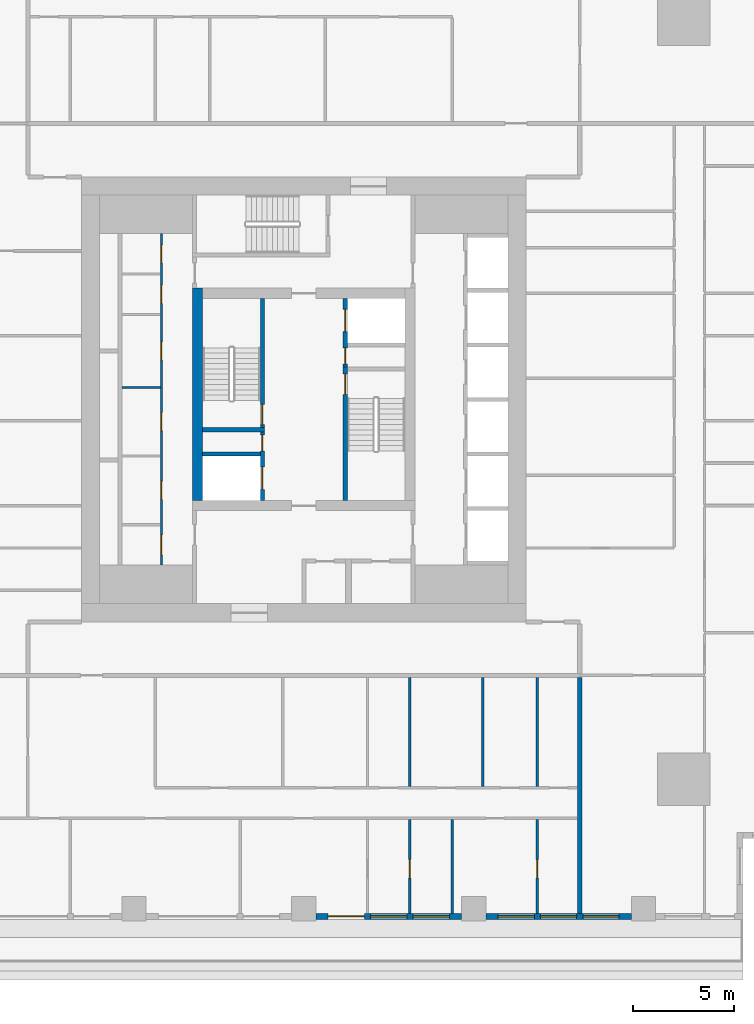
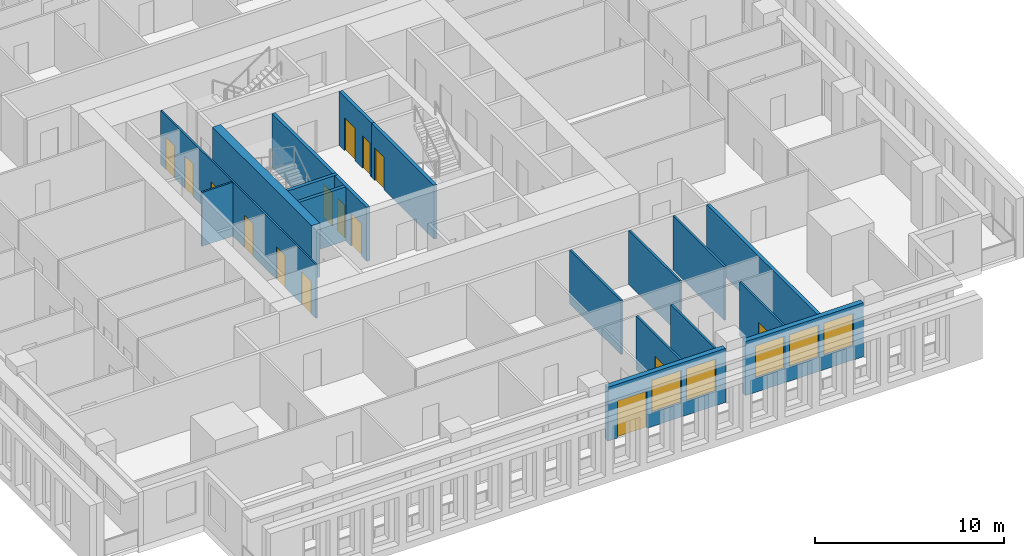
# One storey, part 4 of 16: 18 walls, 15 doors, 5 windows, 20 openings.
"""IFC4 building model written with IfcOpenShell, lengths in metres."""

from ifc_helpers import new_model, si_unit, direction, frame, frame_2d, origin, place, context, subcontext, project, spatial, rectangle, extrude, material, layer, layer_set, type_object, element, fill, save


model = new_model("IFC4")

# Units and contexts
model_context = context("Model", 3, precision=1e-05, world=origin(), true_north=direction((0.0, 1.0)))
body_context = subcontext(model_context, "Body", "Model", "MODEL_VIEW")
ifc_project = project(units=[si_unit("LENGTHUNIT", "METRE"), si_unit("AREAUNIT", "SQUARE_METRE"), si_unit("VOLUMEUNIT", "CUBIC_METRE"), si_unit("PLANEANGLEUNIT", "RADIAN"), si_unit("MASSUNIT", "GRAM", prefix="KILO")], contexts=[model_context])

# Site, building, storey
site_placement = place(None, origin())
site = spatial("IfcSite", under=ifc_project, at=site_placement, CompositionType="ELEMENT")
building_placement = place(site_placement, origin())
building = spatial("IfcBuilding", under=site, at=building_placement, Name="Khepri Terraces", CompositionType="ELEMENT")
storey_placement = place(building_placement, frame((0.0, 0.0, 153.300048828125)))
storey = spatial("IfcBuildingStorey", under=building, at=storey_placement, Name="L36", CompositionType="ELEMENT", Elevation=153.300048828125)

# Wall, opening, door
ifc_material_1 = material(Name="Concrete C60/75", Category="concrete")
ifc_layer_1 = layer(ifc_material_1, 0.199951171875, Name="Concrete C60/75", Category="concrete")
ifc_layer_set_1 = layer_set([ifc_layer_1], Name="Concrete C60/75")
wall_type_1 = type_object("IfcWallType", Name="Core wall 200 C60/75", PredefinedType="SHEAR", material=ifc_layer_set_1)
wall_1_placement = place(storey_placement, frame((2.050048828125, -5.0, 0.0), z_axis=(0.0, 0.0, 1.0), x_axis=(0.0, 1.0, 0.0)))
wall_1 = element("IfcWall", 1, at=wall_1_placement, inside=storey, type_object=wall_type_1, Name="Core wall ST01 L36", PredefinedType="SHEAR", context=body_context, shape_type="SweptSolid", body=[
    extrude(rectangle(XDim=6.60009765625, YDim=0.199951171875, at=frame_2d((3.300048828125, 0.0))), origin(), (0.0, 0.0, 1.0), 3.47998046875),
])
opening_1_placement = place(wall_1_placement, frame((5.25, 0.0, 0.0)))
opening_1 = element("IfcOpeningElement", 2, at=opening_1_placement, cuts=wall_1, Name="Opening L36-C10", PredefinedType="OPENING", context=body_context, shape_type="SweptSolid", body=[
    extrude(rectangle(XDim=1.0, YDim=2.10009765625, at=frame_2d((0.5, 1.050048828125))), frame((0.0, 0.10986328125, 0.0), z_axis=(0.0, -1.0, 0.0), x_axis=(1.0, 0.0, 0.0)), (0.0, 0.0, 1.0), 0.219970703125),
])
ifc_material_2 = material(Name="Painted steel", Category="steel")
door_type_1 = type_object("IfcDoorType", Name="DR-CORE-STAIR-1000", OperationType="NOTDEFINED", PredefinedType="DOOR", material=ifc_material_2)
door_1_placement = place(opening_1_placement, frame((1.0, 0.0, 0.0), z_axis=(0.0, 0.0, 1.0), x_axis=(-1.0, 0.0, 0.0)))
door_1 = element("IfcDoor", 3, at=door_1_placement, inside=storey, type_object=door_type_1, Name="Stair door L36-C10", OperationType="SINGLE_SWING_LEFT", OverallHeight=2.10009765625, OverallWidth=1.0, PredefinedType="DOOR", context=body_context, shape_type="SweptSolid", body=[
    extrude(rectangle(XDim=1.0, YDim=2.10009765625, at=frame_2d((0.5, 1.050048828125))), frame((0.0, 0.02490234375, 0.0), z_axis=(0.0, -1.0, 0.0), x_axis=(1.0, 0.0, 0.0)), (0.0, 0.0, 1.0), 0.050048828125),
])
fill(opening_1, door_1)

# Wall
wall_2_placement = place(storey_placement, frame((-5.0, -1.5, 0.0), z_axis=(0.0, 0.0, 1.0), x_axis=(1.0, 0.0, 0.0)))
element("IfcWall", 4, at=wall_2_placement, inside=storey, type_object=wall_type_1, Name="Core wall ST02 L36", PredefinedType="SHEAR", context=body_context, shape_type="SweptSolid", body=[
    extrude(rectangle(XDim=3.050048828125, YDim=0.199951171875, at=frame_2d((1.52490234375, 0.0))), origin(), (0.0, 0.0, 1.0), 3.47998046875),
])

# Wall, opening, door
wall_3_placement = place(storey_placement, frame((-2.050048828125, -1.39990234375, 0.0), z_axis=(0.0, 0.0, 1.0), x_axis=(0.0, 1.0, 0.0)))
wall_3 = element("IfcWall", 5, at=wall_3_placement, inside=storey, type_object=wall_type_1, Name="Core wall ST03 L36", PredefinedType="SHEAR", context=body_context, shape_type="SweptSolid", body=[
    extrude(rectangle(XDim=6.39990234375, YDim=0.199951171875, at=frame_2d((3.199951171875, 0.0))), origin(), (0.0, 0.0, 1.0), 3.47998046875),
])
opening_2_placement = place(wall_3_placement, frame((0.14990234375, 0.0, 0.0)))
opening_2 = element("IfcOpeningElement", 6, at=opening_2_placement, cuts=wall_3, Name="Opening L36-C09", PredefinedType="OPENING", context=body_context, shape_type="SweptSolid", body=[
    extrude(rectangle(XDim=1.0, YDim=2.10009765625, at=frame_2d((0.5, 1.050048828125))), frame((0.0, 0.10986328125, 0.0), z_axis=(0.0, -1.0, 0.0), x_axis=(1.0, 0.0, 0.0)), (0.0, 0.0, 1.0), 0.219970703125),
])
door_2_placement = place(opening_2_placement, origin())
door_2 = element("IfcDoor", 7, at=door_2_placement, inside=storey, type_object=door_type_1, Name="Stair door L36-C09", OperationType="SINGLE_SWING_LEFT", OverallHeight=2.10009765625, OverallWidth=1.0, PredefinedType="DOOR", context=body_context, shape_type="SweptSolid", body=[
    extrude(rectangle(XDim=1.0, YDim=2.10009765625, at=frame_2d((0.5, 1.050048828125))), frame((0.0, 0.02490234375, 0.0), z_axis=(0.0, -1.0, 0.0), x_axis=(1.0, 0.0, 0.0)), (0.0, 0.0, 1.0), 0.050048828125),
])
fill(opening_2, door_2)

# Wall, openings, doors
wall_4_placement = place(storey_placement, frame((-2.050048828125, -5.0, 0.0), z_axis=(0.0, 0.0, 1.0), x_axis=(0.0, 1.0, 0.0)))
wall_4 = element("IfcWall", 8, at=wall_4_placement, inside=storey, type_object=wall_type_1, Name="Core wall SH05 L36", PredefinedType="SHEAR", context=body_context, shape_type="SweptSolid", body=[
    extrude(rectangle(XDim=3.39990234375, YDim=0.199951171875, at=frame_2d((1.699951171875, 0.0))), origin(), (0.0, 0.0, 1.0), 3.47998046875),
])
opening_3_placement = place(wall_4_placement, frame((0.550048828125, 0.0, 0.0)))
opening_3 = element("IfcOpeningElement", 9, at=opening_3_placement, cuts=wall_4, Name="Opening L36-C08", PredefinedType="OPENING", context=body_context, shape_type="SweptSolid", body=[
    extrude(rectangle(XDim=1.10009765625, YDim=2.10009765625, at=frame_2d((0.550048828125, 1.050048828125))), frame((0.0, 0.10986328125, 0.0), z_axis=(0.0, -1.0, 0.0), x_axis=(1.0, 0.0, 0.0)), (0.0, 0.0, 1.0), 0.219970703125),
])
opening_4_placement = place(wall_4_placement, frame((2.449951171875, 0.0, 0.0)))
opening_4 = element("IfcOpeningElement", 10, at=opening_4_placement, cuts=wall_4, Name="Opening L36-C12", PredefinedType="OPENING", context=body_context, shape_type="SweptSolid", body=[
    extrude(rectangle(XDim=0.800048828125, YDim=2.10009765625, at=frame_2d((0.39990234375, 1.050048828125))), frame((0.0, 0.10986328125, 0.0), z_axis=(0.0, -1.0, 0.0), x_axis=(1.0, 0.0, 0.0)), (0.0, 0.0, 1.0), 0.219970703125),
])
ifc_material_3 = material(Name="Stainless steel 304", Category="steel")
door_type_2 = type_object("IfcDoorType", Name="DR-CORE-FF-LANDING-1100", OperationType="NOTDEFINED", PredefinedType="DOOR", material=ifc_material_3)
door_3_placement = place(opening_3_placement, origin())
door_3 = element("IfcDoor", 11, at=door_3_placement, inside=storey, type_object=door_type_2, Name="Firefighting lift landing door L36-C08", OperationType="SLIDING_TO_LEFT", OverallHeight=2.10009765625, OverallWidth=1.10009765625, PredefinedType="DOOR", context=body_context, shape_type="SweptSolid", body=[
    extrude(rectangle(XDim=1.10009765625, YDim=2.10009765625, at=frame_2d((0.550048828125, 1.050048828125))), frame((0.0, 0.02490234375, 0.0), z_axis=(0.0, -1.0, 0.0), x_axis=(1.0, 0.0, 0.0)), (0.0, 0.0, 1.0), 0.050048828125),
])
fill(opening_3, door_3)
door_type_3 = type_object("IfcDoorType", Name="DR-CORE-RISER-800", OperationType="NOTDEFINED", PredefinedType="DOOR", material=ifc_material_2)
door_4_placement = place(opening_4_placement, origin())
door_4 = element("IfcDoor", 12, at=door_4_placement, inside=storey, type_object=door_type_3, Name="Riser door L36-C12", OperationType="SINGLE_SWING_RIGHT", OverallHeight=2.10009765625, OverallWidth=0.800048828125, PredefinedType="DOOR", context=body_context, shape_type="SweptSolid", body=[
    extrude(rectangle(XDim=0.800048828125, YDim=2.10009765625, at=frame_2d((0.39990234375, 1.050048828125))), frame((0.0, 0.02490234375, 0.0), z_axis=(0.0, -1.0, 0.0), x_axis=(1.0, 0.0, 0.0)), (0.0, 0.0, 1.0), 0.050048828125),
])
fill(opening_4, door_4)

# Wall
wall_5_placement = place(storey_placement, frame((-5.0, -2.699951171875, 0.0), z_axis=(0.0, 0.0, 1.0), x_axis=(1.0, 0.0, 0.0)))
element("IfcWall", 13, at=wall_5_placement, inside=storey, type_object=wall_type_1, Name="Core wall SH07 L36", PredefinedType="SHEAR", context=body_context, shape_type="SweptSolid", body=[
    extrude(rectangle(XDim=2.85009765625, YDim=0.199951171875, at=frame_2d((1.425048828125, 0.0))), origin(), (0.0, 0.0, 1.0), 3.47998046875),
])

# Wall, openings, doors
wall_6_placement = place(storey_placement, frame((2.050048828125, 1.60009765625, 0.0), z_axis=(0.0, 0.0, 1.0), x_axis=(0.0, 1.0, 0.0)))
wall_6 = element("IfcWall", 14, at=wall_6_placement, inside=storey, type_object=wall_type_1, Name="Core wall SH10 L36", PredefinedType="SHEAR", context=body_context, shape_type="SweptSolid", body=[
    extrude(rectangle(XDim=3.39990234375, YDim=0.199951171875, at=frame_2d((1.699951171875, 0.0))), origin(), (0.0, 0.0, 1.0), 3.47998046875),
])
opening_5_placement = place(wall_6_placement, frame((1.75, 0.0, 0.0)))
opening_5 = element("IfcOpeningElement", 15, at=opening_5_placement, cuts=wall_6, Name="Opening L36-C07", PredefinedType="OPENING", context=body_context, shape_type="SweptSolid", body=[
    extrude(rectangle(XDim=1.10009765625, YDim=2.10009765625, at=frame_2d((0.550048828125, 1.050048828125))), frame((0.0, 0.10986328125, 0.0), z_axis=(0.0, -1.0, 0.0), x_axis=(1.0, 0.0, 0.0)), (0.0, 0.0, 1.0), 0.219970703125),
])
opening_6_placement = place(wall_6_placement, frame((0.14990234375, 0.0, 0.0)))
opening_6 = element("IfcOpeningElement", 16, at=opening_6_placement, cuts=wall_6, Name="Opening L36-C11", PredefinedType="OPENING", context=body_context, shape_type="SweptSolid", body=[
    extrude(rectangle(XDim=0.800048828125, YDim=2.10009765625, at=frame_2d((0.39990234375, 1.050048828125))), frame((0.0, 0.10986328125, 0.0), z_axis=(0.0, -1.0, 0.0), x_axis=(1.0, 0.0, 0.0)), (0.0, 0.0, 1.0), 0.219970703125),
])
door_5_placement = place(opening_5_placement, origin())
door_5 = element("IfcDoor", 17, at=door_5_placement, inside=storey, type_object=door_type_2, Name="Firefighting lift landing door L36-C07", OperationType="SLIDING_TO_LEFT", OverallHeight=2.10009765625, OverallWidth=1.10009765625, PredefinedType="DOOR", context=body_context, shape_type="SweptSolid", body=[
    extrude(rectangle(XDim=1.10009765625, YDim=2.10009765625, at=frame_2d((0.550048828125, 1.050048828125))), frame((0.0, 0.02490234375, 0.0), z_axis=(0.0, -1.0, 0.0), x_axis=(1.0, 0.0, 0.0)), (0.0, 0.0, 1.0), 0.050048828125),
])
fill(opening_5, door_5)
door_6_placement = place(opening_6_placement, frame((0.800048828125, 0.0, 0.0), z_axis=(0.0, 0.0, 1.0), x_axis=(-1.0, 0.0, 0.0)))
door_6 = element("IfcDoor", 18, at=door_6_placement, inside=storey, type_object=door_type_3, Name="Riser door L36-C11", OperationType="SINGLE_SWING_RIGHT", OverallHeight=2.10009765625, OverallWidth=0.800048828125, PredefinedType="DOOR", context=body_context, shape_type="SweptSolid", body=[
    extrude(rectangle(XDim=0.800048828125, YDim=2.10009765625, at=frame_2d((0.39990234375, 1.050048828125))), frame((0.0, 0.02490234375, 0.0), z_axis=(0.0, -1.0, 0.0), x_axis=(1.0, 0.0, 0.0)), (0.0, 0.0, 1.0), 0.050048828125),
])
fill(opening_6, door_6)

# Wall
ifc_layer_2 = layer(ifc_material_1, 0.5, Name="Concrete C60/75", Category="concrete")
ifc_layer_set_2 = layer_set([ifc_layer_2], Name="Concrete C60/75")
wall_type_2 = type_object("IfcWallType", Name="Core wall 500 C60/75", PredefinedType="SHEAR", material=ifc_layer_set_2)
wall_7_placement = place(storey_placement, frame((-5.25, -5.0, 0.0), z_axis=(0.0, 0.0, 1.0), x_axis=(0.0, 1.0, 0.0)))
element("IfcWall", 19, at=wall_7_placement, inside=storey, type_object=wall_type_2, Name="Core wall BX02 L36", PredefinedType="SHEAR", context=body_context, shape_type="SweptSolid", body=[
    extrude(rectangle(XDim=10.5, YDim=0.5, at=frame_2d((5.25, 0.0))), origin(), (0.0, 0.0, 1.0), 3.47998046875),
])

# Wall, openings, doors
ifc_material_4 = material(Name="Fire-rated gypsum board partition")
ifc_layer_3 = layer(ifc_material_4, 0.10009765625, Name="Fire-rated gypsum board partition")
ifc_layer_set_3 = layer_set([ifc_layer_3], Name="Fire-rated gypsum board partition")
wall_type_3 = type_object("IfcWallType", Name="WL-CORE-PART-100", PredefinedType="PARTITIONING", material=ifc_layer_set_3)
wall_8_placement = place(storey_placement, frame((-7.050048828125, -8.199951171875, 0.0), z_axis=(0.0, 0.0, 1.0), x_axis=(0.0, 1.0, 0.0)))
wall_8 = element("IfcWall", 20, at=wall_8_placement, inside=storey, type_object=wall_type_3, Name="Core partition PT05 L36", PredefinedType="PARTITIONING", context=body_context, shape_type="SweptSolid", body=[
    extrude(rectangle(XDim=16.39990234375, YDim=0.10009765625, at=frame_2d((8.199951171875, 0.0))), origin(), (0.0, 0.0, 1.0), 3.47998046875),
])
opening_7_placement = place(wall_8_placement, frame((0.5, 0.0, 0.0)))
opening_7 = element("IfcOpeningElement", 21, at=opening_7_placement, cuts=wall_8, Name="Opening L36-C24", PredefinedType="OPENING", context=body_context, shape_type="SweptSolid", body=[
    extrude(rectangle(XDim=1.0, YDim=2.10009765625, at=frame_2d((0.5, 1.050048828125))), frame((0.0, 0.06005859375, 0.0), z_axis=(0.0, -1.0, 0.0), x_axis=(1.0, 0.0, 0.0)), (0.0, 0.0, 1.0), 0.1201171875),
])
opening_8_placement = place(wall_8_placement, frame((3.25, 0.0, 0.0)))
opening_8 = element("IfcOpeningElement", 22, at=opening_8_placement, cuts=wall_8, Name="Opening L36-C25", PredefinedType="OPENING", context=body_context, shape_type="SweptSolid", body=[
    extrude(rectangle(XDim=0.89990234375, YDim=2.10009765625, at=frame_2d((0.449951171875, 1.050048828125))), frame((0.0, 0.06005859375, 0.0), z_axis=(0.0, -1.0, 0.0), x_axis=(1.0, 0.0, 0.0)), (0.0, 0.0, 1.0), 0.1201171875),
])
opening_9_placement = place(wall_8_placement, frame((6.64990234375, 0.0, 0.0)))
opening_9 = element("IfcOpeningElement", 23, at=opening_9_placement, cuts=wall_8, Name="Opening L36-C26", PredefinedType="OPENING", context=body_context, shape_type="SweptSolid", body=[
    extrude(rectangle(XDim=0.89990234375, YDim=2.10009765625, at=frame_2d((0.449951171875, 1.050048828125))), frame((0.0, 0.06005859375, 0.0), z_axis=(0.0, -1.0, 0.0), x_axis=(1.0, 0.0, 0.0)), (0.0, 0.0, 1.0), 0.1201171875),
])
opening_10_placement = place(wall_8_placement, frame((10.14990234375, 0.0, 0.0)))
opening_10 = element("IfcOpeningElement", 24, at=opening_10_placement, cuts=wall_8, Name="Opening L36-C27", PredefinedType="OPENING", context=body_context, shape_type="SweptSolid", body=[
    extrude(rectangle(XDim=0.89990234375, YDim=2.10009765625, at=frame_2d((0.449951171875, 1.050048828125))), frame((0.0, 0.06005859375, 0.0), z_axis=(0.0, -1.0, 0.0), x_axis=(1.0, 0.0, 0.0)), (0.0, 0.0, 1.0), 0.1201171875),
])
opening_11_placement = place(wall_8_placement, frame((12.949951171875, 0.0, 0.0)))
opening_11 = element("IfcOpeningElement", 25, at=opening_11_placement, cuts=wall_8, Name="Opening L36-C28", PredefinedType="OPENING", context=body_context, shape_type="SweptSolid", body=[
    extrude(rectangle(XDim=0.89990234375, YDim=2.10009765625, at=frame_2d((0.449951171875, 1.050048828125))), frame((0.0, 0.06005859375, 0.0), z_axis=(0.0, -1.0, 0.0), x_axis=(1.0, 0.0, 0.0)), (0.0, 0.0, 1.0), 0.1201171875),
])
opening_12_placement = place(wall_8_placement, frame((14.949951171875, 0.0, 0.0)))
opening_12 = element("IfcOpeningElement", 26, at=opening_12_placement, cuts=wall_8, Name="Opening L36-C29", PredefinedType="OPENING", context=body_context, shape_type="SweptSolid", body=[
    extrude(rectangle(XDim=0.89990234375, YDim=2.10009765625, at=frame_2d((0.449951171875, 1.050048828125))), frame((0.0, 0.06005859375, 0.0), z_axis=(0.0, -1.0, 0.0), x_axis=(1.0, 0.0, 0.0)), (0.0, 0.0, 1.0), 0.1201171875),
])
door_type_4 = type_object("IfcDoorType", Name="DR-CORE-SERVICE-900", OperationType="NOTDEFINED", PredefinedType="DOOR", material=ifc_material_2)
door_7_placement = place(opening_8_placement, origin())
door_7 = element("IfcDoor", 27, at=door_7_placement, inside=storey, type_object=door_type_4, Name="Service room door L36-C25", OperationType="SINGLE_SWING_LEFT", OverallHeight=2.10009765625, OverallWidth=0.89990234375, PredefinedType="DOOR", context=body_context, shape_type="SweptSolid", body=[
    extrude(rectangle(XDim=0.89990234375, YDim=2.10009765625, at=frame_2d((0.449951171875, 1.050048828125))), frame((0.0, 0.02490234375, 0.0), z_axis=(0.0, -1.0, 0.0), x_axis=(1.0, 0.0, 0.0)), (0.0, 0.0, 1.0), 0.050048828125),
])
fill(opening_8, door_7)
door_8_placement = place(opening_9_placement, origin())
door_8 = element("IfcDoor", 28, at=door_8_placement, inside=storey, type_object=door_type_4, Name="Service room door L36-C26", OperationType="SINGLE_SWING_LEFT", OverallHeight=2.10009765625, OverallWidth=0.89990234375, PredefinedType="DOOR", context=body_context, shape_type="SweptSolid", body=[
    extrude(rectangle(XDim=0.89990234375, YDim=2.10009765625, at=frame_2d((0.449951171875, 1.050048828125))), frame((0.0, 0.02490234375, 0.0), z_axis=(0.0, -1.0, 0.0), x_axis=(1.0, 0.0, 0.0)), (0.0, 0.0, 1.0), 0.050048828125),
])
fill(opening_9, door_8)
door_9_placement = place(opening_10_placement, origin())
door_9 = element("IfcDoor", 29, at=door_9_placement, inside=storey, type_object=door_type_4, Name="Service room door L36-C27", OperationType="SINGLE_SWING_RIGHT", OverallHeight=2.10009765625, OverallWidth=0.89990234375, PredefinedType="DOOR", context=body_context, shape_type="SweptSolid", body=[
    extrude(rectangle(XDim=0.89990234375, YDim=2.10009765625, at=frame_2d((0.449951171875, 1.050048828125))), frame((0.0, 0.02490234375, 0.0), z_axis=(0.0, -1.0, 0.0), x_axis=(1.0, 0.0, 0.0)), (0.0, 0.0, 1.0), 0.050048828125),
])
fill(opening_10, door_9)
door_10_placement = place(opening_11_placement, origin())
door_10 = element("IfcDoor", 30, at=door_10_placement, inside=storey, type_object=door_type_4, Name="Service room door L36-C28", OperationType="SINGLE_SWING_RIGHT", OverallHeight=2.10009765625, OverallWidth=0.89990234375, PredefinedType="DOOR", context=body_context, shape_type="SweptSolid", body=[
    extrude(rectangle(XDim=0.89990234375, YDim=2.10009765625, at=frame_2d((0.449951171875, 1.050048828125))), frame((0.0, 0.02490234375, 0.0), z_axis=(0.0, -1.0, 0.0), x_axis=(1.0, 0.0, 0.0)), (0.0, 0.0, 1.0), 0.050048828125),
])
fill(opening_11, door_10)
door_11_placement = place(opening_12_placement, origin())
door_11 = element("IfcDoor", 31, at=door_11_placement, inside=storey, type_object=door_type_4, Name="Service room door L36-C29", OperationType="SINGLE_SWING_RIGHT", OverallHeight=2.10009765625, OverallWidth=0.89990234375, PredefinedType="DOOR", context=body_context, shape_type="SweptSolid", body=[
    extrude(rectangle(XDim=0.89990234375, YDim=2.10009765625, at=frame_2d((0.449951171875, 1.050048828125))), frame((0.0, 0.02490234375, 0.0), z_axis=(0.0, -1.0, 0.0), x_axis=(1.0, 0.0, 0.0)), (0.0, 0.0, 1.0), 0.050048828125),
])
fill(opening_12, door_11)
ifc_material_5 = material(Name="Timber veneer", Category="wood")
door_type_5 = type_object("IfcDoorType", Name="DR-CORE-WC-1000", OperationType="NOTDEFINED", PredefinedType="DOOR", material=ifc_material_5)
door_12_placement = place(opening_7_placement, origin())
door_12 = element("IfcDoor", 32, at=door_12_placement, inside=storey, type_object=door_type_5, Name="WC door L36-C24", OperationType="SINGLE_SWING_LEFT", OverallHeight=2.10009765625, OverallWidth=1.0, PredefinedType="DOOR", context=body_context, shape_type="SweptSolid", body=[
    extrude(rectangle(XDim=1.0, YDim=2.10009765625, at=frame_2d((0.5, 1.050048828125))), frame((0.0, 0.02490234375, 0.0), z_axis=(0.0, -1.0, 0.0), x_axis=(1.0, 0.0, 0.0)), (0.0, 0.0, 1.0), 0.050048828125),
])
fill(opening_7, door_12)

# Walls
wall_9_placement = place(storey_placement, frame((-9.0, 0.60009765625, 0.0), z_axis=(0.0, 0.0, 1.0), x_axis=(1.0, 0.0, 0.0)))
element("IfcWall", 33, at=wall_9_placement, inside=storey, type_object=wall_type_3, Name="Core partition PT10 L36", PredefinedType="PARTITIONING", context=body_context, shape_type="SweptSolid", body=[
    extrude(rectangle(XDim=1.89990234375, YDim=0.10009765625, at=frame_2d((0.949951171875, 0.0))), origin(), (0.0, 0.0, 1.0), 3.47998046875),
])
ifc_material_6 = material(Name="Fire-rated gypsum plasterboard partition, mineral wool")
ifc_layer_4 = layer(ifc_material_6, 0.199951171875, Name="Fire-rated gypsum plasterboard partition, mineral wool")
ifc_layer_set_4 = layer_set([ifc_layer_4], Name="Fire-rated gypsum plasterboard partition, mineral wool")
wall_type_4 = type_object("IfcWallType", Name="WL-CORR-200", PredefinedType="PARTITIONING", material=ifc_layer_set_4)
wall_10_placement = place(storey_placement, frame((13.64990234375, -25.419921875, 0.0), z_axis=(0.0, 0.0, 1.0), x_axis=(0.0, 1.0, 0.0)))
element("IfcWall", 34, at=wall_10_placement, inside=storey, type_object=wall_type_4, Name="Partition P-007 L36", PredefinedType="PARTITIONING", context=body_context, shape_type="SweptSolid", body=[
    extrude(rectangle(XDim=11.669921875, YDim=0.199951171875, at=frame_2d((5.8349609375, 0.0))), origin(), (0.0, 0.0, 1.0), 3.47998046875),
])

# Wall, openings, door, windows
ifc_material_7 = material(Name="Precast concrete C50/60 warm stone", Category="masonry")
ifc_layer_5 = layer(ifc_material_7, 0.300048828125, Name="Precast concrete C50/60 warm stone", Category="masonry")
ifc_layer_set_5 = layer_set([ifc_layer_5], Name="Precast concrete C50/60 warm stone")
wall_type_5 = type_object("IfcWallType", Name="WL-EXT-PRECAST-300", PredefinedType="STANDARD", material=ifc_layer_set_5)
wall_11_placement = place(storey_placement, frame((0.60009765625, -25.570068359375, 0.0), z_axis=(0.0, 0.0, 1.0), x_axis=(1.0, 0.0, 0.0)))
wall_11 = element("IfcWall", 35, at=wall_11_placement, inside=storey, type_object=wall_type_5, Name="External wall L36 S", PredefinedType="STANDARD", context=body_context, shape_type="SweptSolid", body=[
    extrude(rectangle(XDim=7.199951171875, YDim=0.300048828125, at=frame_2d((3.60009765625, 0.0))), origin(), (0.0, 0.0, 1.0), 3.47998046875),
])
opening_13_placement = place(wall_11_placement, frame((0.60009765625, 0.0, 0.0)))
opening_13 = element("IfcOpeningElement", 36, at=opening_13_placement, cuts=wall_11, Name="Opening ED-L36-18", PredefinedType="OPENING", context=body_context, shape_type="SweptSolid", body=[
    extrude(rectangle(XDim=1.800048828125, YDim=2.39990234375, at=frame_2d((0.89990234375, 1.199951171875))), frame((0.0, 0.16015625, 0.0), z_axis=(0.0, -1.0, 0.0), x_axis=(1.0, 0.0, 0.0)), (0.0, 0.0, 1.0), 0.320068359375),
])
opening_14_placement = place(wall_11_placement, frame((2.699951171875, 0.0, 0.89990234375)))
opening_14 = element("IfcOpeningElement", 37, at=opening_14_placement, cuts=wall_11, Name="Opening W1", PredefinedType="OPENING", context=body_context, shape_type="SweptSolid", body=[
    extrude(rectangle(XDim=1.800048828125, YDim=2.10009765625, at=frame_2d((0.89990234375, 1.050048828125))), frame((0.0, 0.16015625, 0.0), z_axis=(0.0, -1.0, 0.0), x_axis=(1.0, 0.0, 0.0)), (0.0, 0.0, 1.0), 0.320068359375),
])
opening_15_placement = place(wall_11_placement, frame((4.800048828125, 0.0, 0.89990234375)))
opening_15 = element("IfcOpeningElement", 38, at=opening_15_placement, cuts=wall_11, Name="Opening W1", PredefinedType="OPENING", context=body_context, shape_type="SweptSolid", body=[
    extrude(rectangle(XDim=1.800048828125, YDim=2.10009765625, at=frame_2d((0.89990234375, 1.050048828125))), frame((0.0, 0.16015625, 0.0), z_axis=(0.0, -1.0, 0.0), x_axis=(1.0, 0.0, 0.0)), (0.0, 0.0, 1.0), 0.320068359375),
])
ifc_material_8 = material(Name="Anodised aluminium bronze glazed door", Category="aluminium")
door_type_6 = type_object("IfcDoorType", Name="DR-BAL-SLIDE-1800x2400", OperationType="NOTDEFINED", PredefinedType="DOOR", material=ifc_material_8)
door_13_placement = place(opening_13_placement, origin())
door_13 = element("IfcDoor", 39, at=door_13_placement, inside=storey, type_object=door_type_6, Name="Balcony door L36 S", OperationType="SLIDING_TO_LEFT", OverallHeight=2.39990234375, OverallWidth=1.800048828125, PredefinedType="DOOR", context=body_context, shape_type="SweptSolid", body=[
    extrude(rectangle(XDim=1.800048828125, YDim=2.39990234375, at=frame_2d((0.89990234375, 1.199951171875))), frame((0.0, 0.02490234375, 0.0), z_axis=(0.0, -1.0, 0.0), x_axis=(1.0, 0.0, 0.0)), (0.0, 0.0, 1.0), 0.050048828125),
])
fill(opening_13, door_13)
ifc_material_9 = material(Name="Clear glass", Category="glass")
window_type = type_object("IfcWindowType", Name="WIN-RES-1800x2100", PartitioningType="SINGLE_PANEL", PredefinedType="WINDOW", material=ifc_material_9)
window_1_placement = place(opening_14_placement, origin())
window_1 = element("IfcWindow", 40, at=window_1_placement, inside=storey, type_object=window_type, Name="Window L36 S", OverallHeight=2.10009765625, OverallWidth=1.800048828125, PartitioningType="SINGLE_PANEL", PredefinedType="WINDOW", context=body_context, shape_type="SweptSolid", body=[
    extrude(rectangle(XDim=1.800048828125, YDim=2.10009765625, at=frame_2d((0.89990234375, 1.050048828125))), frame((0.0, 0.030029296875, 0.0), z_axis=(0.0, -1.0, 0.0), x_axis=(1.0, 0.0, 0.0)), (0.0, 0.0, 1.0), 0.06005859375),
])
fill(opening_14, window_1)
window_2_placement = place(opening_15_placement, origin())
window_2 = element("IfcWindow", 41, at=window_2_placement, inside=storey, type_object=window_type, Name="Window L36 S", OverallHeight=2.10009765625, OverallWidth=1.800048828125, PartitioningType="SINGLE_PANEL", PredefinedType="WINDOW", context=body_context, shape_type="SweptSolid", body=[
    extrude(rectangle(XDim=1.800048828125, YDim=2.10009765625, at=frame_2d((0.89990234375, 1.050048828125))), frame((0.0, 0.030029296875, 0.0), z_axis=(0.0, -1.0, 0.0), x_axis=(1.0, 0.0, 0.0)), (0.0, 0.0, 1.0), 0.06005859375),
])
fill(opening_15, window_2)

# Wall, openings, windows
wall_12_placement = place(storey_placement, frame((9.0, -25.570068359375, 0.0), z_axis=(0.0, 0.0, 1.0), x_axis=(1.0, 0.0, 0.0)))
wall_12 = element("IfcWall", 42, at=wall_12_placement, inside=storey, type_object=wall_type_5, Name="External wall L36 S", PredefinedType="STANDARD", context=body_context, shape_type="SweptSolid", body=[
    extrude(rectangle(XDim=7.199951171875, YDim=0.300048828125, at=frame_2d((3.60009765625, 0.0))), origin(), (0.0, 0.0, 1.0), 3.47998046875),
])
opening_16_placement = place(wall_12_placement, frame((0.60009765625, 0.0, 0.89990234375)))
opening_16 = element("IfcOpeningElement", 43, at=opening_16_placement, cuts=wall_12, Name="Opening W1", PredefinedType="OPENING", context=body_context, shape_type="SweptSolid", body=[
    extrude(rectangle(XDim=1.800048828125, YDim=2.10009765625, at=frame_2d((0.89990234375, 1.050048828125))), frame((0.0, 0.16015625, 0.0), z_axis=(0.0, -1.0, 0.0), x_axis=(1.0, 0.0, 0.0)), (0.0, 0.0, 1.0), 0.320068359375),
])
opening_17_placement = place(wall_12_placement, frame((2.699951171875, 0.0, 0.89990234375)))
opening_17 = element("IfcOpeningElement", 44, at=opening_17_placement, cuts=wall_12, Name="Opening W1", PredefinedType="OPENING", context=body_context, shape_type="SweptSolid", body=[
    extrude(rectangle(XDim=1.800048828125, YDim=2.10009765625, at=frame_2d((0.89990234375, 1.050048828125))), frame((0.0, 0.16015625, 0.0), z_axis=(0.0, -1.0, 0.0), x_axis=(1.0, 0.0, 0.0)), (0.0, 0.0, 1.0), 0.320068359375),
])
opening_18_placement = place(wall_12_placement, frame((4.800048828125, 0.0, 0.89990234375)))
opening_18 = element("IfcOpeningElement", 45, at=opening_18_placement, cuts=wall_12, Name="Opening W1", PredefinedType="OPENING", context=body_context, shape_type="SweptSolid", body=[
    extrude(rectangle(XDim=1.800048828125, YDim=2.10009765625, at=frame_2d((0.89990234375, 1.050048828125))), frame((0.0, 0.16015625, 0.0), z_axis=(0.0, -1.0, 0.0), x_axis=(1.0, 0.0, 0.0)), (0.0, 0.0, 1.0), 0.320068359375),
])
window_3_placement = place(opening_16_placement, origin())
window_3 = element("IfcWindow", 46, at=window_3_placement, inside=storey, type_object=window_type, Name="Window L36 S", OverallHeight=2.10009765625, OverallWidth=1.800048828125, PartitioningType="SINGLE_PANEL", PredefinedType="WINDOW", context=body_context, shape_type="SweptSolid", body=[
    extrude(rectangle(XDim=1.800048828125, YDim=2.10009765625, at=frame_2d((0.89990234375, 1.050048828125))), frame((0.0, 0.030029296875, 0.0), z_axis=(0.0, -1.0, 0.0), x_axis=(1.0, 0.0, 0.0)), (0.0, 0.0, 1.0), 0.06005859375),
])
fill(opening_16, window_3)
window_4_placement = place(opening_17_placement, origin())
window_4 = element("IfcWindow", 47, at=window_4_placement, inside=storey, type_object=window_type, Name="Window L36 S", OverallHeight=2.10009765625, OverallWidth=1.800048828125, PartitioningType="SINGLE_PANEL", PredefinedType="WINDOW", context=body_context, shape_type="SweptSolid", body=[
    extrude(rectangle(XDim=1.800048828125, YDim=2.10009765625, at=frame_2d((0.89990234375, 1.050048828125))), frame((0.0, 0.030029296875, 0.0), z_axis=(0.0, -1.0, 0.0), x_axis=(1.0, 0.0, 0.0)), (0.0, 0.0, 1.0), 0.06005859375),
])
fill(opening_17, window_4)
window_5_placement = place(opening_18_placement, origin())
window_5 = element("IfcWindow", 48, at=window_5_placement, inside=storey, type_object=window_type, Name="Window L36 S", OverallHeight=2.10009765625, OverallWidth=1.800048828125, PartitioningType="SINGLE_PANEL", PredefinedType="WINDOW", context=body_context, shape_type="SweptSolid", body=[
    extrude(rectangle(XDim=1.800048828125, YDim=2.10009765625, at=frame_2d((0.89990234375, 1.050048828125))), frame((0.0, 0.030029296875, 0.0), z_axis=(0.0, -1.0, 0.0), x_axis=(1.0, 0.0, 0.0)), (0.0, 0.0, 1.0), 0.06005859375),
])
fill(opening_18, window_5)

# Wall, opening, door
ifc_material_10 = material(Name="Gypsum plasterboard partition")
ifc_layer_6 = layer(ifc_material_10, 0.1201171875, Name="Gypsum plasterboard partition")
ifc_layer_set_6 = layer_set([ifc_layer_6], Name="Gypsum plasterboard partition")
wall_type_6 = type_object("IfcWallType", Name="WL-PART-120", PredefinedType="PARTITIONING", material=ifc_layer_set_6)
wall_13_placement = place(storey_placement, frame((5.25, -25.419921875, 0.0), z_axis=(0.0, 0.0, 1.0), x_axis=(0.0, 1.0, 0.0)))
wall_13 = element("IfcWall", 49, at=wall_13_placement, inside=storey, type_object=wall_type_6, Name="Partition P-004 L36", PredefinedType="PARTITIONING", context=body_context, shape_type="SweptSolid", body=[
    extrude(rectangle(XDim=4.639892578125, YDim=0.1201171875, at=frame_2d((2.31982421875, 0.0))), origin(), (0.0, 0.0, 1.0), 3.47998046875),
])
opening_19_placement = place(wall_13_placement, frame((1.75, 0.0, 0.0)))
opening_19 = element("IfcOpeningElement", 50, at=opening_19_placement, cuts=wall_13, Name="Opening D4", PredefinedType="OPENING", context=body_context, shape_type="SweptSolid", body=[
    extrude(rectangle(XDim=0.89990234375, YDim=2.10009765625, at=frame_2d((0.449951171875, 1.050048828125))), frame((0.0, 0.070068359375, 0.0), z_axis=(0.0, -1.0, 0.0), x_axis=(1.0, 0.0, 0.0)), (0.0, 0.0, 1.0), 0.14013671875),
])
ifc_material_11 = material(Name="Timber door leaf, moisture resistant", Category="wood")
door_type_7 = type_object("IfcDoorType", Name="DR-WET-900", OperationType="NOTDEFINED", PredefinedType="DOOR", material=ifc_material_11)
door_14_placement = place(opening_19_placement, frame((0.89990234375, 0.0, 0.0), z_axis=(0.0, 0.0, 1.0), x_axis=(-1.0, 0.0, 0.0)))
door_14 = element("IfcDoor", 51, at=door_14_placement, inside=storey, type_object=door_type_7, Name="Door Bathroom", OperationType="SINGLE_SWING_RIGHT", OverallHeight=2.10009765625, OverallWidth=0.89990234375, PredefinedType="DOOR", context=body_context, shape_type="SweptSolid", body=[
    extrude(rectangle(XDim=0.89990234375, YDim=2.10009765625, at=frame_2d((0.449951171875, 1.050048828125))), frame((0.0, 0.02490234375, 0.0), z_axis=(0.0, -1.0, 0.0), x_axis=(1.0, 0.0, 0.0)), (0.0, 0.0, 1.0), 0.050048828125),
])
fill(opening_19, door_14)

# Wall
wall_14_placement = place(storey_placement, frame((7.35009765625, -25.419921875, 0.0), z_axis=(0.0, 0.0, 1.0), x_axis=(0.0, 1.0, 0.0)))
element("IfcWall", 52, at=wall_14_placement, inside=storey, type_object=wall_type_6, Name="Partition P-005 L36", PredefinedType="PARTITIONING", context=body_context, shape_type="SweptSolid", body=[
    extrude(rectangle(XDim=4.639892578125, YDim=0.1201171875, at=frame_2d((2.31982421875, 0.0))), origin(), (0.0, 0.0, 1.0), 3.47998046875),
])

# Wall, opening, door
wall_15_placement = place(storey_placement, frame((11.550048828125, -25.419921875, 0.0), z_axis=(0.0, 0.0, 1.0), x_axis=(0.0, 1.0, 0.0)))
wall_15 = element("IfcWall", 53, at=wall_15_placement, inside=storey, type_object=wall_type_6, Name="Partition P-006 L36", PredefinedType="PARTITIONING", context=body_context, shape_type="SweptSolid", body=[
    extrude(rectangle(XDim=4.639892578125, YDim=0.1201171875, at=frame_2d((2.31982421875, 0.0))), origin(), (0.0, 0.0, 1.0), 3.47998046875),
])
opening_20_placement = place(wall_15_placement, frame((1.75, 0.0, 0.0)))
opening_20 = element("IfcOpeningElement", 54, at=opening_20_placement, cuts=wall_15, Name="Opening D4", PredefinedType="OPENING", context=body_context, shape_type="SweptSolid", body=[
    extrude(rectangle(XDim=0.89990234375, YDim=2.10009765625, at=frame_2d((0.449951171875, 1.050048828125))), frame((0.0, 0.070068359375, 0.0), z_axis=(0.0, -1.0, 0.0), x_axis=(1.0, 0.0, 0.0)), (0.0, 0.0, 1.0), 0.14013671875),
])
door_15_placement = place(opening_20_placement, frame((0.89990234375, 0.0, 0.0), z_axis=(0.0, 0.0, 1.0), x_axis=(-1.0, 0.0, 0.0)))
door_15 = element("IfcDoor", 55, at=door_15_placement, inside=storey, type_object=door_type_7, Name="Door Bathroom", OperationType="SINGLE_SWING_RIGHT", OverallHeight=2.10009765625, OverallWidth=0.89990234375, PredefinedType="DOOR", context=body_context, shape_type="SweptSolid", body=[
    extrude(rectangle(XDim=0.89990234375, YDim=2.10009765625, at=frame_2d((0.449951171875, 1.050048828125))), frame((0.0, 0.02490234375, 0.0), z_axis=(0.0, -1.0, 0.0), x_axis=(1.0, 0.0, 0.0)), (0.0, 0.0, 1.0), 0.050048828125),
])
fill(opening_20, door_15)

# Walls
for number, where, z_axis, x_axis, name in (
    (56, (5.25, -19.159912109375, 0.0), (0.0, 0.0, 1.0), (0.0, 1.0, 0.0), "Partition P-015 L36"),
    (57, (8.85009765625, -19.159912109375, 0.0), (0.0, 0.0, 1.0), (0.0, 1.0, 0.0), "Partition P-016 L36"),
    (58, (11.550048828125, -19.159912109375, 0.0), (0.0, 0.0, 1.0), (0.0, 1.0, 0.0), "Partition P-017 L36"),
):
    element("IfcWall", number, at=place(storey_placement, frame(where, z_axis=z_axis, x_axis=x_axis)), inside=storey, type_object=wall_type_6, Name=name, PredefinedType="PARTITIONING", context=body_context, shape_type="SweptSolid", body=[
        extrude(rectangle(XDim=5.409912109375, YDim=0.1201171875, at=frame_2d((2.705078125, 0.0))), origin(), (0.0, 0.0, 1.0), 3.47998046875),
    ])

save(model, "model.ifc")
